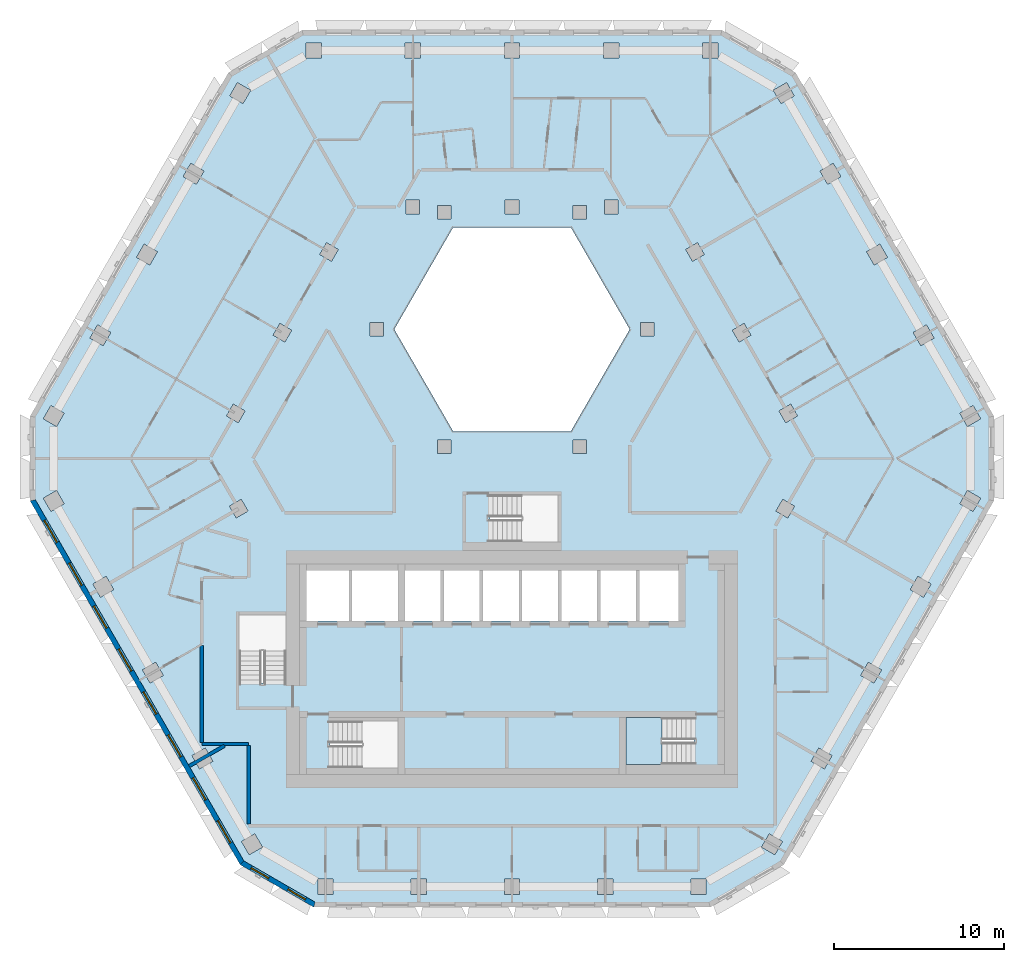
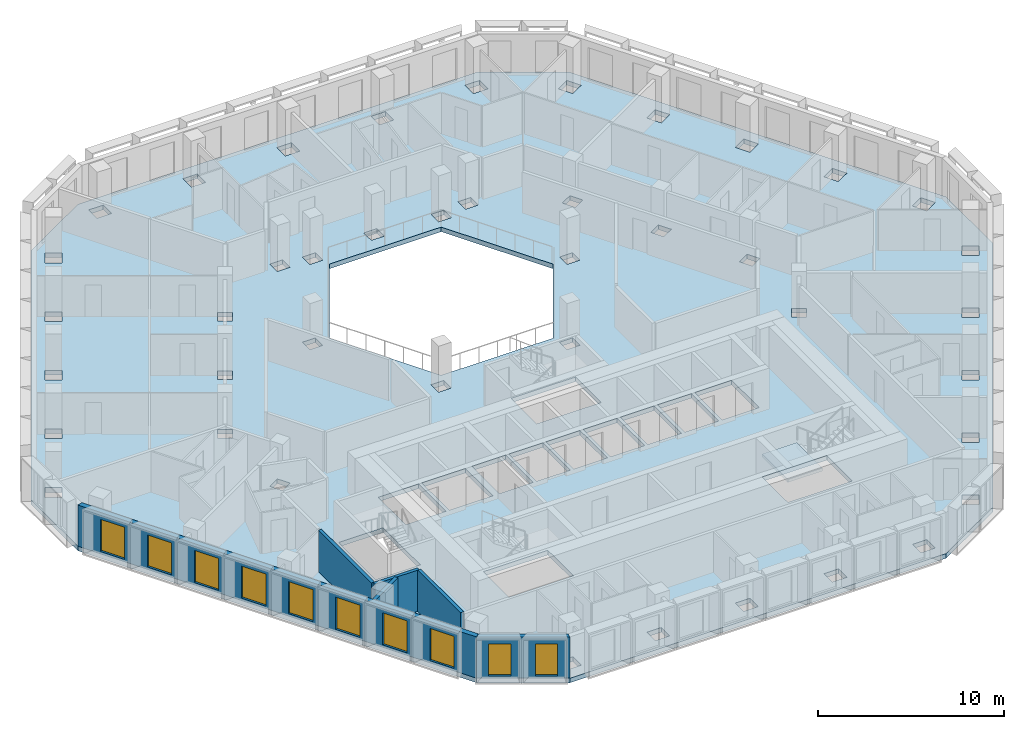
# One storey, part 2 of 17: 10 windows, 6 walls, 2 slabs, 10 openings, 1 element without a shape of its own.
"""IFC4 building model written with IfcOpenShell, lengths in metres."""

from ifc_helpers import new_model, si_unit, direction, frame, frame_2d, origin, place, context, subcontext, project, spatial, polyline, rectangle, outline, extrude, material, layer, layer_set, type_object, element, fill, aggregate, save


model = new_model("IFC4")

# Units and contexts
model_context = context("Model", 3, precision=1e-05, world=origin(), true_north=direction((0.0, 1.0)))
body_context = subcontext(model_context, "Body", "Model", "MODEL_VIEW")
ifc_project = project(units=[si_unit("LENGTHUNIT", "METRE"), si_unit("AREAUNIT", "SQUARE_METRE"), si_unit("VOLUMEUNIT", "CUBIC_METRE"), si_unit("PLANEANGLEUNIT", "RADIAN"), si_unit("MASSUNIT", "GRAM", prefix="KILO")], contexts=[model_context])

# Site, building, storey
site_placement = place(None, origin())
site = spatial("IfcSite", under=ifc_project, at=site_placement, CompositionType="ELEMENT")
building_placement = place(site_placement, origin())
building = spatial("IfcBuilding", under=site, at=building_placement, Name="Beryl Residences", CompositionType="ELEMENT")
storey_placement = place(building_placement, frame((0.0, 0.0, 144.60009765625)))
storey = spatial("IfcBuildingStorey", under=building, at=storey_placement, Name="L44", CompositionType="ELEMENT", Elevation=144.60009765625)

# Slab
ifc_material_1 = material(Name="Concrete C40/50", Category="concrete")
ifc_layer_1 = layer(ifc_material_1, 0.300048828125)
ifc_layer_set_1 = layer_set([ifc_layer_1], Name="SL7 PT floor slab 300 mm C40/50")
slab_type_1 = type_object("IfcSlabType", Name="SL7 PT floor slab 300 mm C40/50", PredefinedType="FLOOR", material=ifc_layer_set_1)
slab_1_placement = place(storey_placement, frame((0.0, 0.0, -0.300048828125)))
element("IfcSlab", 1, at=slab_1_placement, inside=storey, type_object=slab_type_1, Name="L44 slab 1", PredefinedType="FLOOR", context=body_context, shape_type="SweptSolid", body=[
    extrude(outline(polyline([(28.347900390625, -2.10009765625), (15.991943359375, -23.5), (11.662109375, -26.0), (-11.662109375, -26.0), (-15.991943359375, -23.5), (-28.347900390625, -2.10009765625), (-28.347900390625, 2.89990234375), (-16.68505859375, 23.10009765625), (-12.35498046875, 25.60009765625), (12.35498046875, 25.60009765625), (16.68505859375, 23.10009765625), (28.347900390625, 2.89990234375), (28.347900390625, -2.10009765625)]), holes=[polyline([(27.1279296875, 3.514892578125), (26.347900390625, 3.06494140625), (26.798095703125, 2.284912109375), (27.577880859375, 2.735107421875), (27.1279296875, 3.514892578125)]), polyline([(26.7958984375, -1.486083984375), (26.345947265625, -2.26611328125), (27.1259765625, -2.716064453125), (27.575927734375, -1.93603515625), (26.7958984375, -1.486083984375)]), polyline([(23.60498046875, 7.81494140625), (24.054931640625, 7.034912109375), (24.8349609375, 7.485107421875), (24.385009765625, 8.264892578125), (23.60498046875, 7.81494140625)]), polyline([(24.660888671875, -6.986083984375), (23.881103515625, -6.535888671875), (23.430908203125, -7.31591796875), (24.2109375, -7.76611328125), (24.660888671875, -6.986083984375)]), polyline([(21.64306640625, 13.014892578125), (20.863037109375, 12.56494140625), (21.31298828125, 11.784912109375), (22.093017578125, 12.235107421875), (21.64306640625, 13.014892578125)]), polyline([(20.965087890625, -11.5859375), (20.514892578125, -12.365966796875), (21.294921875, -12.81591796875), (21.7451171875, -12.035888671875), (20.965087890625, -11.5859375)]), polyline([(18.1201171875, 17.31494140625), (18.570068359375, 16.534912109375), (19.35009765625, 16.985107421875), (18.89990234375, 17.764892578125), (18.1201171875, 17.31494140625)]), polyline([(18.830078125, -17.0859375), (18.050048828125, -16.635986328125), (17.60009765625, -17.416015625), (18.3798828125, -17.865966796875), (18.830078125, -17.0859375)]), polyline([(16.39892578125, 3.595947265625), (15.70703125, 3.196044921875), (16.10693359375, 2.50390625), (16.799072265625, 2.904052734375), (16.39892578125, 3.595947265625)]), polyline([(16.6240234375, -2.405029296875), (15.931884765625, -2.0048828125), (15.531982421875, -2.697021484375), (16.22412109375, -3.096923828125), (16.6240234375, -2.405029296875)]), polyline([(16.157958984375, 22.514892578125), (15.3779296875, 22.06494140625), (15.827880859375, 21.284912109375), (16.60791015625, 21.735107421875), (16.157958984375, 22.514892578125)]), polyline([(15.9140625, -22.135009765625), (15.134033203125, -21.68505859375), (14.68408203125, -22.465087890625), (15.464111328125, -22.9150390625), (15.9140625, -22.135009765625)]), polyline([(13.656005859375, 8.345947265625), (12.964111328125, 7.946044921875), (13.364013671875, 7.25390625), (14.055908203125, 7.654052734375), (13.656005859375, 8.345947265625)]), polyline([(11.2119140625, 24.85009765625), (11.2119140625, 23.949951171875), (12.112060546875, 23.949951171875), (12.112060546875, 24.85009765625), (11.2119140625, 24.85009765625)]), polyline([(11.4208984375, -24.35009765625), (10.52099609375, -24.35009765625), (10.52099609375, -25.25), (11.4208984375, -25.25), (11.4208984375, -24.35009765625)]), polyline([(10.221923828125, 12.696044921875), (10.6220703125, 12.00390625), (11.31396484375, 12.404052734375), (10.9140625, 13.095947265625), (10.221923828125, 12.696044921875)]), polyline([(6.699951171875, -14.85009765625), (6.699951171875, -17.60009765625), (10.699951171875, -17.60009765625), (10.699951171875, -14.85009765625), (6.699951171875, -14.85009765625)]), polyline([(7.5, -9.14990234375), (9.800048828125, -9.14990234375), (9.800048828125, -6.199951171875), (7.5, -6.199951171875), (7.5, -9.14990234375)]), polyline([(8.366943359375, 7.60009765625), (8.366943359375, 8.39990234375), (7.56689453125, 8.39990234375), (7.56689453125, 7.60009765625), (8.366943359375, 7.60009765625)]), polyline([(7.300048828125, -9.14990234375), (7.300048828125, -6.199951171875), (5.199951171875, -6.199951171875), (5.199951171875, -9.14990234375), (7.300048828125, -9.14990234375)]), polyline([(3.464111328125, 14.0), (-3.464111328125, 14.0), (-6.92822265625, 8.0), (-3.464111328125, 2.0), (3.464111328125, 2.0), (6.92822265625, 8.0), (3.464111328125, 14.0)]), polyline([(5.381103515625, 24.85009765625), (5.381103515625, 23.949951171875), (6.281005859375, 23.949951171875), (6.281005859375, 24.85009765625), (5.381103515625, 24.85009765625)]), polyline([(5.430908203125, 15.60009765625), (5.430908203125, 14.800048828125), (6.23095703125, 14.800048828125), (6.23095703125, 15.60009765625), (5.430908203125, 15.60009765625)]), polyline([(5.93603515625, -25.25), (5.93603515625, -24.35009765625), (5.035888671875, -24.35009765625), (5.035888671875, -25.25), (5.93603515625, -25.25)]), polyline([(2.89990234375, -9.14990234375), (5.0, -9.14990234375), (5.0, -6.199951171875), (2.89990234375, -6.199951171875), (2.89990234375, -9.14990234375)]), polyline([(4.384033203125, 14.5), (4.384033203125, 15.300048828125), (3.583984375, 15.300048828125), (3.583984375, 14.5), (4.384033203125, 14.5)]), polyline([(3.583984375, 1.5), (3.583984375, 0.699951171875), (4.384033203125, 0.699951171875), (4.384033203125, 1.5), (3.583984375, 1.5)]), polyline([(2.699951171875, -4.5), (2.699951171875, -1.75), (-1.300048828125, -1.75), (-1.300048828125, -4.5), (2.699951171875, -4.5)]), polyline([(0.60009765625, -9.14990234375), (2.699951171875, -9.14990234375), (2.699951171875, -6.199951171875), (0.60009765625, -6.199951171875), (0.60009765625, -9.14990234375)]), polyline([(0.450927734375, -24.35009765625), (-0.448974609375, -24.35009765625), (-0.448974609375, -25.25), (0.450927734375, -25.25), (0.450927734375, -24.35009765625)]), polyline([(-0.449951171875, 24.85009765625), (-0.449951171875, 23.949951171875), (0.449951171875, 23.949951171875), (0.449951171875, 24.85009765625), (-0.449951171875, 24.85009765625)]), polyline([(0.39990234375, -6.199951171875), (-1.699951171875, -6.199951171875), (-1.699951171875, -9.14990234375), (0.39990234375, -9.14990234375), (0.39990234375, -6.199951171875)]), polyline([(-0.39990234375, 15.60009765625), (-0.39990234375, 14.800048828125), (0.39990234375, 14.800048828125), (0.39990234375, 15.60009765625), (-0.39990234375, 15.60009765625)]), polyline([(-4.0, -9.14990234375), (-1.89990234375, -9.14990234375), (-1.89990234375, -6.199951171875), (-4.0, -6.199951171875), (-4.0, -9.14990234375)]), polyline([(-3.583984375, 14.5), (-3.583984375, 15.300048828125), (-4.384033203125, 15.300048828125), (-4.384033203125, 14.5), (-3.583984375, 14.5)]), polyline([(-3.583984375, 0.699951171875), (-3.583984375, 1.5), (-4.384033203125, 1.5), (-4.384033203125, 0.699951171875), (-3.583984375, 0.699951171875)]), polyline([(-6.300048828125, -9.14990234375), (-4.199951171875, -9.14990234375), (-4.199951171875, -6.199951171875), (-6.300048828125, -6.199951171875), (-6.300048828125, -9.14990234375)]), polyline([(-5.033935546875, -25.25), (-5.033935546875, -24.35009765625), (-5.93408203125, -24.35009765625), (-5.93408203125, -25.25), (-5.033935546875, -25.25)]), polyline([(-6.281005859375, 23.949951171875), (-5.381103515625, 23.949951171875), (-5.381103515625, 24.85009765625), (-6.281005859375, 24.85009765625), (-6.281005859375, 23.949951171875)]), polyline([(-6.23095703125, 14.800048828125), (-5.430908203125, 14.800048828125), (-5.430908203125, 15.60009765625), (-6.23095703125, 15.60009765625), (-6.23095703125, 14.800048828125)]), polyline([(-6.699951171875, -6.199951171875), (-9.39990234375, -6.199951171875), (-9.39990234375, -9.14990234375), (-6.699951171875, -9.14990234375), (-6.699951171875, -6.199951171875)]), polyline([(-10.699951171875, -15.050048828125), (-10.699951171875, -17.800048828125), (-6.699951171875, -17.800048828125), (-6.699951171875, -15.050048828125), (-10.699951171875, -15.050048828125)]), polyline([(-7.56689453125, 7.60009765625), (-7.56689453125, 8.39990234375), (-8.366943359375, 8.39990234375), (-8.366943359375, 7.60009765625), (-7.56689453125, 7.60009765625)]), polyline([(-12.10009765625, -9.14990234375), (-9.60009765625, -9.14990234375), (-9.60009765625, -6.199951171875), (-12.10009765625, -6.199951171875), (-12.10009765625, -9.14990234375)]), polyline([(-11.31396484375, 12.404052734375), (-10.6220703125, 12.00390625), (-10.221923828125, 12.696044921875), (-10.9140625, 13.095947265625), (-11.31396484375, 12.404052734375)]), polyline([(-11.4189453125, -24.35009765625), (-11.4189453125, -25.25), (-10.51904296875, -25.25), (-10.51904296875, -24.35009765625), (-11.4189453125, -24.35009765625)]), polyline([(-12.112060546875, 24.85009765625), (-12.112060546875, 23.949951171875), (-11.2119140625, 23.949951171875), (-11.2119140625, 24.85009765625), (-12.112060546875, 24.85009765625)]), polyline([(-14.055908203125, 7.654052734375), (-13.364013671875, 7.25390625), (-12.964111328125, 7.946044921875), (-13.656005859375, 8.345947265625), (-14.055908203125, 7.654052734375)]), polyline([(-13.300048828125, -8.800048828125), (-16.050048828125, -8.800048828125), (-16.050048828125, -12.800048828125), (-13.300048828125, -12.800048828125), (-13.300048828125, -8.800048828125)]), polyline([(-14.68505859375, -22.464111328125), (-15.135009765625, -21.68408203125), (-15.9150390625, -22.134033203125), (-15.465087890625, -22.9140625), (-14.68505859375, -22.464111328125)]), polyline([(-15.827880859375, 21.284912109375), (-15.3779296875, 22.06494140625), (-16.157958984375, 22.514892578125), (-16.60791015625, 21.735107421875), (-15.827880859375, 21.284912109375)]), polyline([(-15.532958984375, -2.695068359375), (-15.93310546875, -2.0029296875), (-16.625, -2.403076171875), (-16.22509765625, -3.094970703125), (-15.532958984375, -2.695068359375)]), polyline([(-16.10693359375, 2.50390625), (-15.70703125, 3.196044921875), (-16.39892578125, 3.595947265625), (-16.799072265625, 2.904052734375), (-16.10693359375, 2.50390625)]), polyline([(-17.60107421875, -17.4140625), (-18.051025390625, -16.634033203125), (-18.8310546875, -17.083984375), (-18.381103515625, -17.864013671875), (-17.60107421875, -17.4140625)]), polyline([(-19.35009765625, 16.985107421875), (-18.570068359375, 16.534912109375), (-18.1201171875, 17.31494140625), (-18.89990234375, 17.764892578125), (-19.35009765625, 16.985107421875)]), polyline([(-21.2958984375, -12.81396484375), (-20.51611328125, -12.364013671875), (-20.966064453125, -11.583984375), (-21.74609375, -12.033935546875), (-21.2958984375, -12.81396484375)]), polyline([(-20.863037109375, 12.56494140625), (-21.64306640625, 13.014892578125), (-22.093017578125, 12.235107421875), (-21.31298828125, 11.784912109375), (-20.863037109375, 12.56494140625)]), polyline([(-24.2119140625, -7.763916015625), (-23.431884765625, -7.31396484375), (-23.882080078125, -6.533935546875), (-24.662109375, -6.98388671875), (-24.2119140625, -7.763916015625)]), polyline([(-24.8349609375, 7.485107421875), (-24.054931640625, 7.034912109375), (-23.60498046875, 7.81494140625), (-24.385009765625, 8.264892578125), (-24.8349609375, 7.485107421875)]), polyline([(-27.126953125, -2.715087890625), (-26.346923828125, -2.264892578125), (-26.797119140625, -1.485107421875), (-27.576904296875, -1.93505859375), (-27.126953125, -2.715087890625)]), polyline([(-27.577880859375, 2.735107421875), (-26.798095703125, 2.284912109375), (-26.347900390625, 3.06494140625), (-27.1279296875, 3.514892578125), (-27.577880859375, 2.735107421875)])]), origin(), (0.0, 0.0, 1.0), 0.300048828125),
])

# Stair, slab
ifc_material_2 = material(Name="Concrete C40/50", Category="concrete")
stair_type = type_object("IfcStairType", Name="ST1 protected exit stair, half-turn, 1300 mm flights", PredefinedType="HALF_TURN_STAIR", material=ifc_material_2)
stair_placement = place(storey_placement, origin())
stair = element("IfcStair", 2, at=stair_placement, inside=storey, type_object=stair_type, Name="L44 PROTECTED EXIT STAIR ST-3", PredefinedType="HALF_TURN_STAIR")
ifc_material_3 = material(Name="Concrete C40/50", Category="concrete")
ifc_layer_2 = layer(ifc_material_3, 0.199951171875)
ifc_layer_set_2 = layer_set([ifc_layer_2], Name="SLD1 stair landing 200 mm")
slab_type_2 = type_object("IfcSlabType", Name="SLD1 stair landing 200 mm", PredefinedType="LANDING", material=ifc_layer_set_2)
slab_2_placement = place(storey_placement, frame((0.0, 0.0, 1.2998046875)))
slab_2 = element("IfcSlab", 3, at=slab_2_placement, type_object=slab_type_2, Name="ST-3 landing 1", PredefinedType="LANDING", context=body_context, shape_type="SweptSolid", body=[
    extrude(outline(polyline([(8.840087890625, -14.85009765625), (6.699951171875, -14.85009765625), (6.699951171875, -17.60009765625), (8.840087890625, -17.60009765625), (8.840087890625, -14.85009765625)])), origin(), (0.0, 0.0, 1.0), 0.2001953125),
])
aggregate(stair, [slab_2])

# Wall, openings, windows
ifc_material_4 = material(Name="Composite metal panel with mineral wool insulation")
ifc_layer_3 = layer(ifc_material_4, 0.300048828125)
ifc_layer_set_3 = layer_set([ifc_layer_3], Name="ES1 pale metal composite panel wall 300 mm")
wall_type_1 = type_object("IfcWallType", Name="ES1 pale metal composite panel wall 300 mm", PredefinedType="SOLIDWALL", material=ifc_layer_set_3)
wall_1_placement = place(storey_placement, frame((-28.218017578125, -2.02490234375, 0.0), z_axis=(0.0, 0.0, 1.0), x_axis=(0.500017503135, -0.866015298109, 0.0)))
wall_1 = element("IfcWall", 4, at=wall_1_placement, inside=storey, type_object=wall_type_1, Name="ES1 external wall L44 SW", PredefinedType="SOLIDWALL", context=body_context, shape_type="SweptSolid", body=[
    extrude(outline(polyline([(0.0, -0.14990234375), (24.7109375, -0.14990234375), (24.630615234375, 0.14990234375), (0.080322265625, 0.14990234375), (0.0, -0.14990234375)])), origin(), (0.0, 0.0, 1.0), 2.699951171875),
])
opening_1_placement = place(wall_1_placement, frame((1.39990234375, 0.0, 0.14990234375)))
opening_1 = element("IfcOpeningElement", 5, at=opening_1_placement, cuts=wall_1, Name="Opening W1", PredefinedType="OPENING", context=body_context, shape_type="SweptSolid", body=[
    extrude(rectangle(XDim=1.5, YDim=2.10009765625, at=frame_2d((0.75, 1.050048828125))), frame((0.0, 0.159912109375, 0.0), z_axis=(0.0, -1.0, 0.0), x_axis=(1.0, 0.0, 0.0)), (0.0, 0.0, 1.0), 0.320068359375),
])
opening_2_placement = place(wall_1_placement, frame((4.31591796875, 0.0, 0.14990234375)))
opening_2 = element("IfcOpeningElement", 6, at=opening_2_placement, cuts=wall_1, Name="Opening W1", PredefinedType="OPENING", context=body_context, shape_type="SweptSolid", body=[
    extrude(rectangle(XDim=1.5, YDim=2.10009765625, at=frame_2d((0.75, 1.050048828125))), frame((0.0, 0.159912109375, 0.0), z_axis=(0.0, -1.0, 0.0), x_axis=(1.0, 0.0, 0.0)), (0.0, 0.0, 1.0), 0.320068359375),
])
opening_3_placement = place(wall_1_placement, frame((7.23095703125, 0.0, 0.14990234375)))
opening_3 = element("IfcOpeningElement", 7, at=opening_3_placement, cuts=wall_1, Name="Opening W1", PredefinedType="OPENING", context=body_context, shape_type="SweptSolid", body=[
    extrude(rectangle(XDim=1.5, YDim=2.10009765625, at=frame_2d((0.75, 1.050048828125))), frame((0.0, 0.159912109375, 0.0), z_axis=(0.0, -1.0, 0.0), x_axis=(1.0, 0.0, 0.0)), (0.0, 0.0, 1.0), 0.320068359375),
])
opening_4_placement = place(wall_1_placement, frame((10.14697265625, 0.0, 0.14990234375)))
opening_4 = element("IfcOpeningElement", 8, at=opening_4_placement, cuts=wall_1, Name="Opening W1", PredefinedType="OPENING", context=body_context, shape_type="SweptSolid", body=[
    extrude(rectangle(XDim=1.5, YDim=2.10009765625, at=frame_2d((0.75, 1.050048828125))), frame((0.0, 0.159912109375, 0.0), z_axis=(0.0, -1.0, 0.0), x_axis=(1.0, 0.0, 0.0)), (0.0, 0.0, 1.0), 0.320068359375),
])
opening_5_placement = place(wall_1_placement, frame((13.06201171875, 0.0, 0.14990234375)))
opening_5 = element("IfcOpeningElement", 9, at=opening_5_placement, cuts=wall_1, Name="Opening W1", PredefinedType="OPENING", context=body_context, shape_type="SweptSolid", body=[
    extrude(rectangle(XDim=1.5, YDim=2.10009765625, at=frame_2d((0.75, 1.050048828125))), frame((0.0, 0.159912109375, 0.0), z_axis=(0.0, -1.0, 0.0), x_axis=(1.0, 0.0, 0.0)), (0.0, 0.0, 1.0), 0.320068359375),
])
opening_6_placement = place(wall_1_placement, frame((15.97705078125, 0.0, 0.14990234375)))
opening_6 = element("IfcOpeningElement", 10, at=opening_6_placement, cuts=wall_1, Name="Opening W1", PredefinedType="OPENING", context=body_context, shape_type="SweptSolid", body=[
    extrude(rectangle(XDim=1.5, YDim=2.10009765625, at=frame_2d((0.75, 1.050048828125))), frame((0.0, 0.159912109375, 0.0), z_axis=(0.0, -1.0, 0.0), x_axis=(1.0, 0.0, 0.0)), (0.0, 0.0, 1.0), 0.320068359375),
])
opening_7_placement = place(wall_1_placement, frame((18.89306640625, 0.0, 0.14990234375)))
opening_7 = element("IfcOpeningElement", 11, at=opening_7_placement, cuts=wall_1, Name="Opening W1", PredefinedType="OPENING", context=body_context, shape_type="SweptSolid", body=[
    extrude(rectangle(XDim=1.5, YDim=2.10009765625, at=frame_2d((0.75, 1.050048828125))), frame((0.0, 0.159912109375, 0.0), z_axis=(0.0, -1.0, 0.0), x_axis=(1.0, 0.0, 0.0)), (0.0, 0.0, 1.0), 0.320068359375),
])
opening_8_placement = place(wall_1_placement, frame((21.80908203125, 0.0, 0.14990234375)))
opening_8 = element("IfcOpeningElement", 12, at=opening_8_placement, cuts=wall_1, Name="Opening W1", PredefinedType="OPENING", context=body_context, shape_type="SweptSolid", body=[
    extrude(rectangle(XDim=1.5, YDim=2.10009765625, at=frame_2d((0.75, 1.050048828125))), frame((0.0, 0.159912109375, 0.0), z_axis=(0.0, -1.0, 0.0), x_axis=(1.0, 0.0, 0.0)), (0.0, 0.0, 1.0), 0.320068359375),
])
ifc_material_5 = material(Name="Aluminium and clear glass", Category="aluminium")
window_type_1 = type_object("IfcWindowType", Name="W1 cell window 1500 x 2100 mm", PartitioningType="SINGLE_PANEL", PredefinedType="WINDOW", material=ifc_material_5)
window_1_placement = place(opening_1_placement, origin())
window_1 = element("IfcWindow", 13, at=window_1_placement, inside=storey, type_object=window_type_1, Name="W1 window L44 SW 1", OverallHeight=2.10009765625, OverallWidth=1.5, PartitioningType="SINGLE_PANEL", PredefinedType="WINDOW", context=body_context, shape_type="SweptSolid", body=[
    extrude(rectangle(XDim=1.5, YDim=2.10009765625, at=frame_2d((0.75, 1.050048828125))), frame((0.0, 0.030029296875, 0.0), z_axis=(0.0, -1.0, 0.0), x_axis=(1.0, 0.0, 0.0)), (0.0, 0.0, 1.0), 0.06005859375),
])
fill(opening_1, window_1)
window_2_placement = place(opening_2_placement, origin())
window_2 = element("IfcWindow", 14, at=window_2_placement, inside=storey, type_object=window_type_1, Name="W1 window L44 SW 2", OverallHeight=2.10009765625, OverallWidth=1.5, PartitioningType="SINGLE_PANEL", PredefinedType="WINDOW", context=body_context, shape_type="SweptSolid", body=[
    extrude(rectangle(XDim=1.5, YDim=2.10009765625, at=frame_2d((0.75, 1.050048828125))), frame((0.0, 0.030029296875, 0.0), z_axis=(0.0, -1.0, 0.0), x_axis=(1.0, 0.0, 0.0)), (0.0, 0.0, 1.0), 0.06005859375),
])
fill(opening_2, window_2)
window_3_placement = place(opening_3_placement, origin())
window_3 = element("IfcWindow", 15, at=window_3_placement, inside=storey, type_object=window_type_1, Name="W1 window L44 SW 3", OverallHeight=2.10009765625, OverallWidth=1.5, PartitioningType="SINGLE_PANEL", PredefinedType="WINDOW", context=body_context, shape_type="SweptSolid", body=[
    extrude(rectangle(XDim=1.5, YDim=2.10009765625, at=frame_2d((0.75, 1.050048828125))), frame((0.0, 0.030029296875, 0.0), z_axis=(0.0, -1.0, 0.0), x_axis=(1.0, 0.0, 0.0)), (0.0, 0.0, 1.0), 0.06005859375),
])
fill(opening_3, window_3)
window_4_placement = place(opening_4_placement, origin())
window_4 = element("IfcWindow", 16, at=window_4_placement, inside=storey, type_object=window_type_1, Name="W1 window L44 SW 4", OverallHeight=2.10009765625, OverallWidth=1.5, PartitioningType="SINGLE_PANEL", PredefinedType="WINDOW", context=body_context, shape_type="SweptSolid", body=[
    extrude(rectangle(XDim=1.5, YDim=2.10009765625, at=frame_2d((0.75, 1.050048828125))), frame((0.0, 0.030029296875, 0.0), z_axis=(0.0, -1.0, 0.0), x_axis=(1.0, 0.0, 0.0)), (0.0, 0.0, 1.0), 0.06005859375),
])
fill(opening_4, window_4)
window_5_placement = place(opening_5_placement, origin())
window_5 = element("IfcWindow", 17, at=window_5_placement, inside=storey, type_object=window_type_1, Name="W1 window L44 SW 5", OverallHeight=2.10009765625, OverallWidth=1.5, PartitioningType="SINGLE_PANEL", PredefinedType="WINDOW", context=body_context, shape_type="SweptSolid", body=[
    extrude(rectangle(XDim=1.5, YDim=2.10009765625, at=frame_2d((0.75, 1.050048828125))), frame((0.0, 0.030029296875, 0.0), z_axis=(0.0, -1.0, 0.0), x_axis=(1.0, 0.0, 0.0)), (0.0, 0.0, 1.0), 0.06005859375),
])
fill(opening_5, window_5)
window_6_placement = place(opening_6_placement, origin())
window_6 = element("IfcWindow", 18, at=window_6_placement, inside=storey, type_object=window_type_1, Name="W1 window L44 SW 6", OverallHeight=2.10009765625, OverallWidth=1.5, PartitioningType="SINGLE_PANEL", PredefinedType="WINDOW", context=body_context, shape_type="SweptSolid", body=[
    extrude(rectangle(XDim=1.5, YDim=2.10009765625, at=frame_2d((0.75, 1.050048828125))), frame((0.0, 0.030029296875, 0.0), z_axis=(0.0, -1.0, 0.0), x_axis=(1.0, 0.0, 0.0)), (0.0, 0.0, 1.0), 0.06005859375),
])
fill(opening_6, window_6)
window_7_placement = place(opening_7_placement, origin())
window_7 = element("IfcWindow", 19, at=window_7_placement, inside=storey, type_object=window_type_1, Name="W1 window L44 SW 7", OverallHeight=2.10009765625, OverallWidth=1.5, PartitioningType="SINGLE_PANEL", PredefinedType="WINDOW", context=body_context, shape_type="SweptSolid", body=[
    extrude(rectangle(XDim=1.5, YDim=2.10009765625, at=frame_2d((0.75, 1.050048828125))), frame((0.0, 0.030029296875, 0.0), z_axis=(0.0, -1.0, 0.0), x_axis=(1.0, 0.0, 0.0)), (0.0, 0.0, 1.0), 0.06005859375),
])
fill(opening_7, window_7)
window_8_placement = place(opening_8_placement, origin())
window_8 = element("IfcWindow", 20, at=window_8_placement, inside=storey, type_object=window_type_1, Name="W1 window L44 SW 8", OverallHeight=2.10009765625, OverallWidth=1.5, PartitioningType="SINGLE_PANEL", PredefinedType="WINDOW", context=body_context, shape_type="SweptSolid", body=[
    extrude(rectangle(XDim=1.5, YDim=2.10009765625, at=frame_2d((0.75, 1.050048828125))), frame((0.0, 0.030029296875, 0.0), z_axis=(0.0, -1.0, 0.0), x_axis=(1.0, 0.0, 0.0)), (0.0, 0.0, 1.0), 0.06005859375),
])
fill(opening_8, window_8)

wall_2_placement = place(storey_placement, frame((-15.9169921875, -23.3701171875, 0.0), z_axis=(0.0, 0.0, 1.0), x_axis=(0.866022959057, -0.500004234368, 0.0)))
wall_2 = element("IfcWall", 21, at=wall_2_placement, inside=storey, type_object=wall_type_1, Name="ES1 external wall L44 SW-S", PredefinedType="SOLIDWALL", context=body_context, shape_type="SweptSolid", body=[
    extrude(outline(polyline([(0.0, -0.14990234375), (5.0, -0.14990234375), (4.919677734375, 0.14990234375), (0.080322265625, 0.14990234375), (0.0, -0.14990234375)])), origin(), (0.0, 0.0, 1.0), 2.699951171875),
])
opening_9_placement = place(wall_2_placement, frame((0.64990234375, 0.0, 0.14990234375)))
opening_9 = element("IfcOpeningElement", 22, at=opening_9_placement, cuts=wall_2, Name="Opening W2", PredefinedType="OPENING", context=body_context, shape_type="SweptSolid", body=[
    extrude(rectangle(XDim=1.199951171875, YDim=2.10009765625, at=frame_2d((0.60009765625, 1.050048828125))), frame((0.0, 0.159912109375, 0.0), z_axis=(0.0, -1.0, 0.0), x_axis=(1.0, 0.0, 0.0)), (0.0, 0.0, 1.0), 0.320068359375),
])
opening_10_placement = place(wall_2_placement, frame((3.14990234375, 0.0, 0.14990234375)))
opening_10 = element("IfcOpeningElement", 23, at=opening_10_placement, cuts=wall_2, Name="Opening W2", PredefinedType="OPENING", context=body_context, shape_type="SweptSolid", body=[
    extrude(rectangle(XDim=1.199951171875, YDim=2.10009765625, at=frame_2d((0.60009765625, 1.050048828125))), frame((0.0, 0.159912109375, 0.0), z_axis=(0.0, -1.0, 0.0), x_axis=(1.0, 0.0, 0.0)), (0.0, 0.0, 1.0), 0.320068359375),
])
ifc_material_6 = material(Name="Aluminium and clear glass", Category="aluminium")
window_type_2 = type_object("IfcWindowType", Name="W2 chamfer window 1200 x 2100 mm", PartitioningType="SINGLE_PANEL", PredefinedType="WINDOW", material=ifc_material_6)
window_9_placement = place(opening_9_placement, origin())
window_9 = element("IfcWindow", 24, at=window_9_placement, inside=storey, type_object=window_type_2, Name="W2 window L44 SW-S 1", OverallHeight=2.10009765625, OverallWidth=1.199951171875, PartitioningType="SINGLE_PANEL", PredefinedType="WINDOW", context=body_context, shape_type="SweptSolid", body=[
    extrude(rectangle(XDim=1.199951171875, YDim=2.10009765625, at=frame_2d((0.60009765625, 1.050048828125))), frame((0.0, 0.030029296875, 0.0), z_axis=(0.0, -1.0, 0.0), x_axis=(1.0, 0.0, 0.0)), (0.0, 0.0, 1.0), 0.06005859375),
])
fill(opening_9, window_9)
window_10_placement = place(opening_10_placement, origin())
window_10 = element("IfcWindow", 25, at=window_10_placement, inside=storey, type_object=window_type_2, Name="W2 window L44 SW-S 2", OverallHeight=2.10009765625, OverallWidth=1.199951171875, PartitioningType="SINGLE_PANEL", PredefinedType="WINDOW", context=body_context, shape_type="SweptSolid", body=[
    extrude(rectangle(XDim=1.199951171875, YDim=2.10009765625, at=frame_2d((0.60009765625, 1.050048828125))), frame((0.0, 0.030029296875, 0.0), z_axis=(0.0, -1.0, 0.0), x_axis=(1.0, 0.0, 0.0)), (0.0, 0.0, 1.0), 0.06005859375),
])
fill(opening_10, window_10)

# Walls
ifc_material_7 = material(Name="Acoustic double stud gypsum board wall")
ifc_layer_4 = layer(ifc_material_7, 0.199951171875)
ifc_layer_set_4 = layer_set([ifc_layer_4], Name="PT3 party wall 200 mm acoustic double stud")
wall_type_2 = type_object("IfcWallType", Name="PT3 party wall 200 mm acoustic double stud", PredefinedType="PARTITIONING", material=ifc_layer_set_4)
wall_3_placement = place(storey_placement, frame((-18.9951171875, -17.698974609375, 0.0), z_axis=(0.0, 0.0, 1.0), x_axis=(0.86607371389, 0.499916315105, 0.0)))
element("IfcWall", 26, at=wall_3_placement, inside=storey, type_object=wall_type_2, Name="Wall PT3 L44 010", PredefinedType="PARTITIONING", context=body_context, shape_type="SweptSolid", body=[
    extrude(rectangle(XDim=2.3984375, YDim=0.199951171875, at=frame_2d((1.19921875, 0.0))), origin(), (0.0, 0.0, 1.0), 2.699951171875),
])
ifc_material_8 = material(Name="Double stud gypsum board wall")
ifc_layer_5 = layer(ifc_material_8, 0.199951171875)
ifc_layer_set_5 = layer_set([ifc_layer_5], Name="PT4 corridor wall 200 mm double stud")
wall_type_3 = type_object("IfcWallType", Name="PT4 corridor wall 200 mm double stud", PredefinedType="PARTITIONING", material=ifc_layer_set_5)
wall_4_placement = place(storey_placement, frame((-15.5, -16.5, 0.0), z_axis=(0.0, 0.0, 1.0), x_axis=(0.0, -1.0, 0.0)))
element("IfcWall", 27, at=wall_4_placement, inside=storey, type_object=wall_type_3, Name="Wall PT4 L44 007", PredefinedType="PARTITIONING", context=body_context, shape_type="SweptSolid", body=[
    extrude(rectangle(XDim=4.59912109375, YDim=0.199951171875, at=frame_2d((2.299560546875, 0.0))), origin(), (0.0, 0.0, 1.0), 2.699951171875),
])
wall_5_placement = place(storey_placement, frame((-18.25, -10.593017578125, 0.0), z_axis=(0.0, 0.0, 1.0), x_axis=(0.0, -1.0, 0.0)))
element("IfcWall", 28, at=wall_5_placement, inside=storey, type_object=wall_type_3, Name="Wall PT4 L44 008", PredefinedType="PARTITIONING", context=body_context, shape_type="SweptSolid", body=[
    extrude(rectangle(XDim=5.7060546875, YDim=0.199951171875, at=frame_2d((2.85302734375, 0.0))), origin(), (0.0, 0.0, 1.0), 2.699951171875),
])
wall_6_placement = place(storey_placement, frame((-18.2490234375, -16.39990234375, 0.0), z_axis=(0.0, 0.0, 1.0), x_axis=(1.0, 0.0, 0.0)))
element("IfcWall", 29, at=wall_6_placement, inside=storey, type_object=wall_type_3, Name="Wall PT4 L44 011", PredefinedType="PARTITIONING", context=body_context, shape_type="SweptSolid", body=[
    extrude(rectangle(XDim=2.7490234375, YDim=0.199951171875, at=frame_2d((1.37451171875, 0.0))), origin(), (0.0, 0.0, 1.0), 2.699951171875),
])

save(model, "model.ifc")
